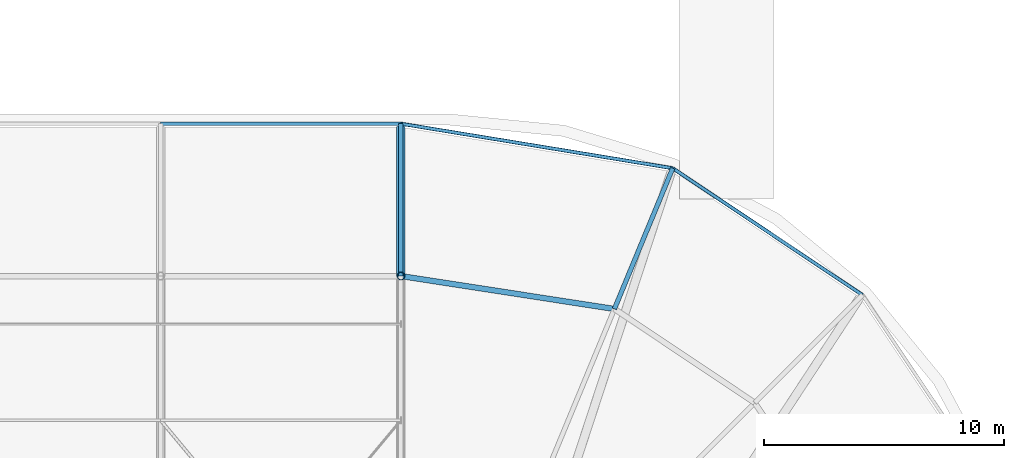
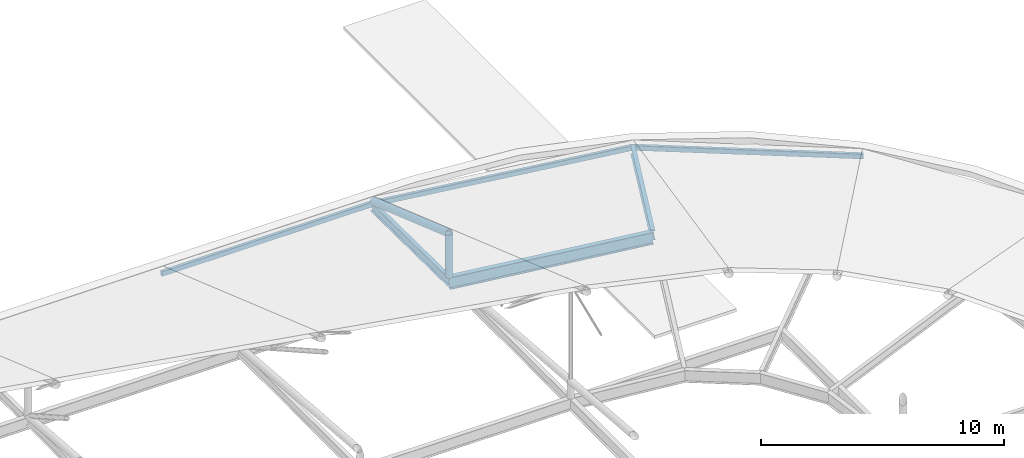
# One storey, part 74 of 93: 6 beams, 2 members.
"""IFC4 building model written with IfcOpenShell, lengths in metres."""

from ifc_helpers import new_model, si_unit, derived_unit, direction, frame, origin, origin_2d_with_axis, place, context, subcontext, project, spatial, hollow_rectangle, hollow_circle, i_section, extrude, material, material_profile, profile_set, type_object, element, save


model = new_model("IFC4")

# Units and contexts
model_context = context("Model", 3, precision=1e-05, world=origin(), true_north=direction((0.0, 1.0)))
body_context = subcontext(model_context, "Body", "Model", "MODEL_VIEW")
ifc_project = project(units=[si_unit("LENGTHUNIT", "METRE"), si_unit("AREAUNIT", "SQUARE_METRE"), si_unit("VOLUMEUNIT", "CUBIC_METRE"), si_unit("PLANEANGLEUNIT", "RADIAN"), si_unit("MASSUNIT", "GRAM", prefix="KILO"), derived_unit("THERMALTRANSMITTANCEUNIT", [(si_unit("POWERUNIT", "WATT"), 1), (si_unit("LENGTHUNIT", "METRE"), -2), (si_unit("THERMODYNAMICTEMPERATUREUNIT", "KELVIN"), -1)])], contexts=[model_context])

# Site, building, storey
site_placement = place(None, origin())
site = spatial("IfcSite", under=ifc_project, at=site_placement, CompositionType="ELEMENT")
building_placement = place(site_placement, origin())
building = spatial("IfcBuilding", under=site, at=building_placement, Name="Cinnabar Yard Market Hall", CompositionType="ELEMENT")
storey_placement = place(building_placement, frame((0.0, 0.0, 23.800048828125)))
storey = spatial("IfcBuildingStorey", under=building, at=storey_placement, Name="ROOF", CompositionType="ELEMENT", Elevation=23.800048828125)

# Beams
ifc_material_1 = material(Name="Steel Grade 350 (350 MPa)", Category="steel")
ifc_material_profile_1 = material_profile(ifc_material_1, i_section(OverallWidth=0.22900390625, OverallDepth=0.611572265625, WebThickness=0.011962890625, FlangeThickness=0.01953125, FilletRadius=0.013916015625, at=origin_2d_with_axis()), Name="610UB125")
ifc_profile_set_1 = profile_set([ifc_material_profile_1], Name="Steel Grade 350 (350 MPa)")
beam_type_1 = type_object("IfcBeamType", Name="BM-B01E", PredefinedType="BEAM", material=ifc_profile_set_1)
beam_1_placement = place(storey_placement, frame((154.88818359375, 72.6298828125, -9.705810546875), z_axis=(-0.988326460719, 0.152350933845, 0.0), x_axis=(-0.152350933845, -0.988326460719, 0.0)))
element("IfcBeam", 1, at=beam_1_placement, inside=storey, type_object=beam_type_1, Name="Outer Corner Ring NE 00494", PredefinedType="BEAM", context=body_context, shape_type="SweptSolid", body=[
    extrude(i_section(OverallWidth=0.22900390625, OverallDepth=0.611572265625, WebThickness=0.011962890625, FlangeThickness=0.01953125, FilletRadius=0.013916015625, at=origin_2d_with_axis()), origin(), (0.0, 0.0, 1.0), 8.9931640625),
])
ifc_material_2 = material(Name="Steel Grade 300 (300 MPa)", Category="steel")
ifc_material_profile_2 = material_profile(ifc_material_2, i_section(OverallWidth=0.19091796875, OverallDepth=0.46044921875, WebThickness=0.010009765625, FlangeThickness=0.01611328125, FilletRadius=0.011474609375, at=origin_2d_with_axis()), Name="460UB82.1")
ifc_profile_set_2 = profile_set([ifc_material_profile_2], Name="Steel Grade 300 (300 MPa)")
beam_type_2 = type_object("IfcBeamType", Name="BM-RF02E", PredefinedType="BEAM", material=ifc_profile_set_2)
for number, where, z_axis, x_axis, name in (
    (2, (154.88818359375, 72.6298828125, -9.630126953125), (0.382659096931, 0.923803285729, -0.012629521412), (-0.923876970079, 0.382689618566, 0.0), "Corner Chhajja Cantilever NE-6 00501"),
    (3, (146.0, 74.0, -9.630126953125), (0.0, 0.999920245484, -0.012629436656), (-1.0, 0.0, 0.0), "North Chhajja Cantilever Rafter 00547"),
):
    element("IfcBeam", number, at=place(storey_placement, frame(where, z_axis=z_axis, x_axis=x_axis)), inside=storey, type_object=beam_type_2, Name=name, PredefinedType="BEAM", context=body_context, shape_type="SweptSolid", body=[
        extrude(i_section(OverallWidth=0.19091796875, OverallDepth=0.46044921875, WebThickness=0.010009765625, FlangeThickness=0.01611328125, FilletRadius=0.011474609375, at=origin_2d_with_axis()), origin(), (0.0, 0.0, 1.0), 6.340576171875),
    ])
ifc_material_3 = material(Name="Cold-formed steel C350L0", Category="steel")
ifc_material_profile_3 = material_profile(ifc_material_3, hollow_rectangle(XDim=0.14990234375, YDim=0.25, WallThickness=0.009033203125, InnerFilletRadius=0.009033203125, OuterFilletRadius=0.01806640625, at=origin_2d_with_axis()), Name="250x150x9.0RHS")
ifc_profile_set_3 = profile_set([ifc_material_profile_3], Name="Cold-formed steel C350L0")
beam_type_3 = type_object("IfcBeamType", Name="BM-SP01E", PredefinedType="SPANDREL", material=ifc_profile_set_3)
beam_2_placement = place(storey_placement, frame((165.2109375, 73.2109375, -9.60498046875), z_axis=(-0.831464504392, 0.555577877471, 0.0), x_axis=(-0.555577877471, -0.831464504392, 0.0)))
element("IfcBeam", 4, at=beam_2_placement, inside=storey, type_object=beam_type_3, Name="Eave Fascia Ring NE 00492", PredefinedType="SPANDREL", context=body_context, shape_type="SweptSolid", body=[
    extrude(hollow_rectangle(XDim=0.14990234375, YDim=0.25, WallThickness=0.009033203125, InnerFilletRadius=0.009033203125, OuterFilletRadius=0.01806640625, at=origin_2d_with_axis()), origin(), (0.0, 0.0, 1.0), 9.4970703125),
])
beam_3_placement = place(storey_placement, frame((157.314453125, 78.4873046875, -9.60498046875), z_axis=(-0.986856127469, 0.161601310879, 0.0), x_axis=(-0.161601310879, -0.986856127469, 0.0)))
element("IfcBeam", 5, at=beam_3_placement, inside=storey, type_object=beam_type_3, Name="Eave Fascia Ring NE 00495", PredefinedType="SPANDREL", context=body_context, shape_type="SweptSolid", body=[
    extrude(hollow_rectangle(XDim=0.14990234375, YDim=0.25, WallThickness=0.009033203125, InnerFilletRadius=0.009033203125, OuterFilletRadius=0.01806640625, at=origin_2d_with_axis()), origin(), (0.0, 0.0, 1.0), 11.465087890625),
])
beam_4_placement = place(storey_placement, frame((136.0, 80.340087890625, -9.60498046875), z_axis=(1.0, 0.0, 0.0), x_axis=(0.0, 1.0, 0.0)))
element("IfcBeam", 6, at=beam_4_placement, inside=storey, type_object=beam_type_3, Name="North Eave Fascia 00559", PredefinedType="SPANDREL", context=body_context, shape_type="SweptSolid", body=[
    extrude(hollow_rectangle(XDim=0.14990234375, YDim=0.25, WallThickness=0.009033203125, InnerFilletRadius=0.009033203125, OuterFilletRadius=0.01806640625, at=origin_2d_with_axis()), origin(), (0.0, 0.0, 1.0), 10.0),
])

# Members
ifc_material_4 = material(Name="Spotted-gum glulam-clad steel Grade 350 (350 MPa)", Category="steel")
ifc_material_profile_4 = material_profile(ifc_material_4, hollow_circle(Radius=0.161865234375, WallThickness=0.009521484375, at=origin_2d_with_axis()), Name="323.9x9.5CHS")
ifc_profile_set_4 = profile_set([ifc_material_profile_4], Name="Spotted-gum glulam-clad steel Grade 350 (350 MPa)")
member_type_1 = type_object("IfcMemberType", Name="MB-ST01E", PredefinedType="STRUT", material=ifc_profile_set_4)
member_1_placement = place(storey_placement, frame((146.0, 74.0, -9.400146484375), z_axis=(0.0, 0.0, 1.0), x_axis=(1.0, 0.0, 0.0)))
element("IfcMember", 7, at=member_1_placement, inside=storey, type_object=member_type_1, Name="Truss Bearing Post 146-74", PredefinedType="STRUT", context=body_context, shape_type="SweptSolid", body=[
    extrude(hollow_circle(Radius=0.161865234375, WallThickness=0.009521484375, at=origin_2d_with_axis()), origin(), (0.0, 0.0, 1.0), 2.158203125),
])
ifc_material_profile_5 = material_profile(ifc_material_3, hollow_circle(Radius=0.177734375, WallThickness=0.0126953125, at=origin_2d_with_axis()), Name="355.6x12.7CHS")
ifc_profile_set_5 = profile_set([ifc_material_profile_5], Name="Cold-formed steel C350L0")
member_type_2 = type_object("IfcMemberType", Name="MB-TC01E", PredefinedType="CHORD", material=ifc_profile_set_5)
member_2_placement = place(storey_placement, frame((146.0, 74.0, -7.241943359375), z_axis=(0.0, 0.944416495302, -0.328751400609), x_axis=(-1.0, 0.0, 0.0)))
element("IfcMember", 8, at=member_2_placement, inside=storey, type_object=member_type_2, Name="North Sloped Eave Rafter 146", PredefinedType="CHORD", context=body_context, shape_type="SweptSolid", body=[
    extrude(hollow_circle(Radius=0.177734375, WallThickness=0.0126953125, at=origin_2d_with_axis()), origin(), (0.0, 0.0, 1.0), 6.56494140625),
])

save(model, "model.ifc")
